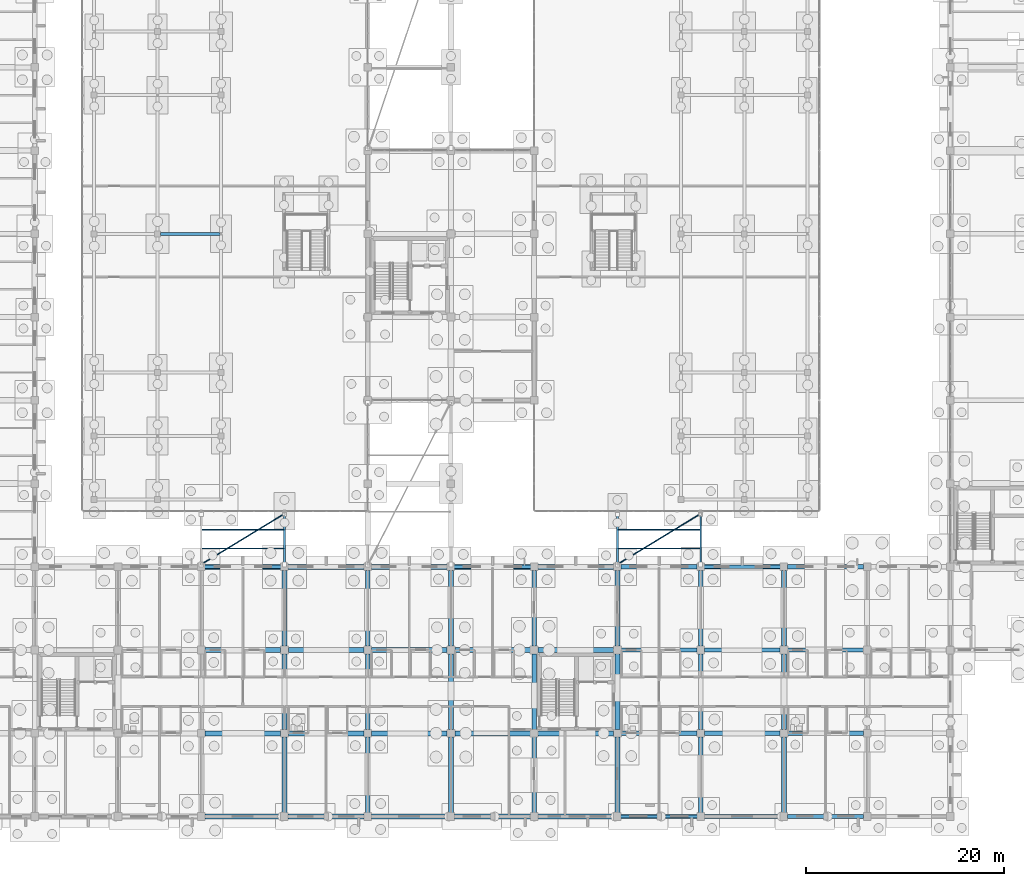
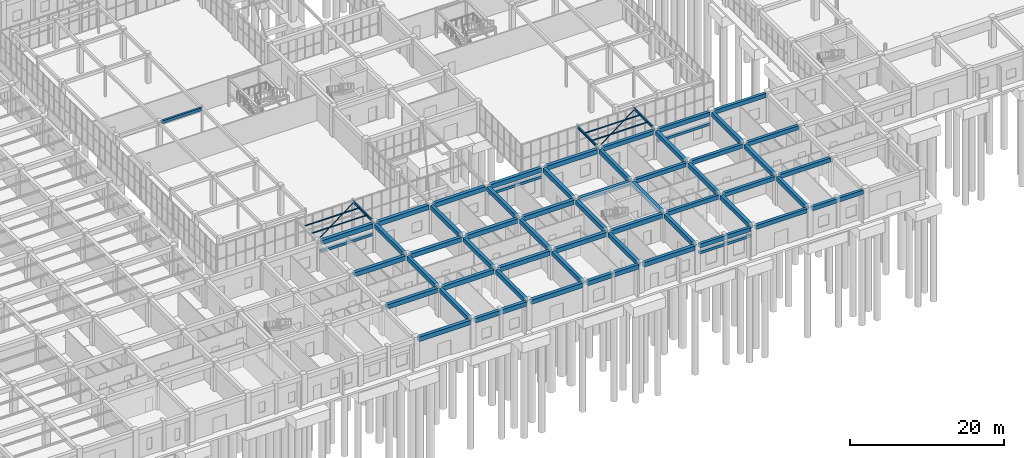
# One storey, part 57 of 192: 65 beams, 2 members.
"""IFC4 building model written with IfcOpenShell, lengths in metres."""

from ifc_helpers import new_model, si_unit, direction, frame, origin, origin_2d, place, context, subcontext, project, spatial, rectangle, hollow_circle, i_section, extrude, material, material_profile, profile_set, type_object, element, save


model = new_model("IFC4")

# Units and contexts
model_context = context("Model", 3, precision=1e-05, world=origin(), true_north=direction((0.0, 1.0)))
body_context = subcontext(model_context, "Body", "Model", "MODEL_VIEW")
ifc_project = project(units=[si_unit("LENGTHUNIT", "METRE"), si_unit("AREAUNIT", "SQUARE_METRE"), si_unit("VOLUMEUNIT", "CUBIC_METRE"), si_unit("PLANEANGLEUNIT", "RADIAN"), si_unit("MASSUNIT", "GRAM", prefix="KILO")], contexts=[model_context])

# Site, building, storey
site_placement = place(None, origin())
site = spatial("IfcSite", under=ifc_project, at=site_placement, CompositionType="ELEMENT")
building_placement = place(site_placement, origin())
building = spatial("IfcBuilding", under=site, at=building_placement, Name="Trelvath General Hospital", CompositionType="ELEMENT")
storey_placement = place(building_placement, origin())
storey = spatial("IfcBuildingStorey", under=building, at=storey_placement, Name="L00", CompositionType="ELEMENT", Elevation=0.0)

# Beams
ifc_material_1 = material(Name="Concrete C35/45", Category="concrete")
ifc_material_profile_1 = material_profile(ifc_material_1, rectangle(XDim=0.300048828125, YDim=0.449951171875, at=origin_2d()), Name="RCB300x450")
ifc_profile_set_1 = profile_set([ifc_material_profile_1], Name="Concrete C35/45")
beam_type_1 = type_object("IfcBeamType", Name="Beam RC300x450", PredefinedType="BEAM", material=ifc_profile_set_1)
beam_1_placement = place(storey_placement, frame((54.696044921875, 58.800048828125, 4.3349609375), z_axis=(1.0, 0.0, 0.0), x_axis=(0.0, 1.0, 0.0)))
element("IfcBeam", 1, at=beam_1_placement, inside=storey, type_object=beam_type_1, Name="Cube Interior Ring Beam CUBE-W-T0 L00", PredefinedType="BEAM", context=body_context, shape_type="SweptSolid", body=[
    extrude(rectangle(XDim=0.300048828125, YDim=0.449951171875, at=origin_2d()), origin(), (0.0, 0.0, 1.0), 5.998046875),
])
ifc_material_2 = material(Name="Concrete C35/45", Category="concrete")
ifc_material_profile_2 = material_profile(ifc_material_2, rectangle(XDim=0.43994140625, YDim=0.639892578125, at=origin_2d()), Name="RCB440x640")
ifc_profile_set_2 = profile_set([ifc_material_profile_2], Name="Concrete C35/45")
beam_type_2 = type_object("IfcBeamType", Name="Beam RC440x640", PredefinedType="BEAM", material=ifc_profile_set_2)
beam_2_placement = place(storey_placement, frame((101.175048828125, 0.0, 4.199951171875), z_axis=(1.0, 0.0, 0.0), x_axis=(0.0, 1.0, 0.0)))
element("IfcBeam", 2, at=beam_2_placement, inside=storey, type_object=beam_type_2, Name="Grid Beam BX-012A", PredefinedType="BEAM", context=body_context, shape_type="SweptSolid", body=[
    extrude(rectangle(XDim=0.43994140625, YDim=0.639892578125, at=origin_2d()), origin(), (0.0, 0.0, 1.0), 7.64990234375),
])
for number, where, z_axis, x_axis, name in (
    (3, (101.18505859375, 8.39990234375, 4.199951171875), (1.0, 0.0, 0.0), (0.0, 1.0, 0.0), "Grid Beam BX-012B"),
    (4, (101.18505859375, 16.800048828125, 4.199951171875), (1.0, 0.0, 0.0), (0.0, 1.0, 0.0), "Grid Beam BX-012C"),
):
    element("IfcBeam", number, at=place(storey_placement, frame(where, z_axis=z_axis, x_axis=x_axis)), inside=storey, type_object=beam_type_2, Name=name, PredefinedType="BEAM", context=body_context, shape_type="SweptSolid", body=[
        extrude(rectangle(XDim=0.43994140625, YDim=0.639892578125, at=origin_2d()), origin(), (0.0, 0.0, 1.0), 7.6298828125),
    ])
beam_3_placement = place(storey_placement, frame((101.175048828125, 25.199951171875, 4.199951171875), z_axis=(1.0, 0.0, 0.0), x_axis=(0.0, 1.0, 0.0)))
element("IfcBeam", 5, at=beam_3_placement, inside=storey, type_object=beam_type_2, Name="Grid Beam BX-012D", PredefinedType="BEAM", context=body_context, shape_type="SweptSolid", body=[
    extrude(rectangle(XDim=0.43994140625, YDim=0.639892578125, at=origin_2d()), origin(), (0.0, 0.0, 1.0), 7.64990234375),
])
beam_4_placement = place(storey_placement, frame((109.574951171875, 0.0, 4.199951171875), z_axis=(1.0, 0.0, 0.0), x_axis=(0.0, 1.0, 0.0)))
element("IfcBeam", 6, at=beam_4_placement, inside=storey, type_object=beam_type_2, Name="Grid Beam BX-013A", PredefinedType="BEAM", context=body_context, shape_type="SweptSolid", body=[
    extrude(rectangle(XDim=0.43994140625, YDim=0.639892578125, at=origin_2d()), origin(), (0.0, 0.0, 1.0), 7.650146484375),
])
for number, where, z_axis, x_axis, name in (
    (7, (109.5849609375, 8.39990234375, 4.199951171875), (1.0, 0.0, 0.0), (0.0, 1.0, 0.0), "Grid Beam BX-013B"),
    (8, (109.5849609375, 16.800048828125, 4.199951171875), (1.0, 0.0, 0.0), (0.0, 1.0, 0.0), "Grid Beam BX-013C"),
):
    element("IfcBeam", number, at=place(storey_placement, frame(where, z_axis=z_axis, x_axis=x_axis)), inside=storey, type_object=beam_type_2, Name=name, PredefinedType="BEAM", context=body_context, shape_type="SweptSolid", body=[
        extrude(rectangle(XDim=0.43994140625, YDim=0.639892578125, at=origin_2d()), origin(), (0.0, 0.0, 1.0), 7.630126953125),
    ])
beam_5_placement = place(storey_placement, frame((109.574951171875, 25.199951171875, 4.199951171875), z_axis=(1.0, 0.0, 0.0), x_axis=(0.0, 1.0, 0.0)))
element("IfcBeam", 9, at=beam_5_placement, inside=storey, type_object=beam_type_2, Name="Grid Beam BX-013D", PredefinedType="BEAM", context=body_context, shape_type="SweptSolid", body=[
    extrude(rectangle(XDim=0.43994140625, YDim=0.639892578125, at=origin_2d()), origin(), (0.0, 0.0, 1.0), 7.650146484375),
])
beam_6_placement = place(storey_placement, frame((117.97509765625, 0.0, 4.199951171875), z_axis=(1.0, 0.0, 0.0), x_axis=(0.0, 1.0, 0.0)))
element("IfcBeam", 10, at=beam_6_placement, inside=storey, type_object=beam_type_2, Name="Grid Beam BX-014A", PredefinedType="BEAM", context=body_context, shape_type="SweptSolid", body=[
    extrude(rectangle(XDim=0.43994140625, YDim=0.639892578125, at=origin_2d()), origin(), (0.0, 0.0, 1.0), 7.64990234375),
])
for number, where, z_axis, x_axis, name in (
    (11, (117.985107421875, 8.39990234375, 4.199951171875), (1.0, 0.0, 0.0), (0.0, 1.0, 0.0), "Grid Beam BX-014B"),
    (12, (117.985107421875, 16.800048828125, 4.199951171875), (1.0, 0.0, 0.0), (0.0, 1.0, 0.0), "Grid Beam BX-014C"),
):
    element("IfcBeam", number, at=place(storey_placement, frame(where, z_axis=z_axis, x_axis=x_axis)), inside=storey, type_object=beam_type_2, Name=name, PredefinedType="BEAM", context=body_context, shape_type="SweptSolid", body=[
        extrude(rectangle(XDim=0.43994140625, YDim=0.639892578125, at=origin_2d()), origin(), (0.0, 0.0, 1.0), 7.6298828125),
    ])
beam_7_placement = place(storey_placement, frame((117.97509765625, 25.199951171875, 4.199951171875), z_axis=(1.0, 0.0, 0.0), x_axis=(0.0, 1.0, 0.0)))
element("IfcBeam", 13, at=beam_7_placement, inside=storey, type_object=beam_type_2, Name="Grid Beam BX-014D", PredefinedType="BEAM", context=body_context, shape_type="SweptSolid", body=[
    extrude(rectangle(XDim=0.43994140625, YDim=0.639892578125, at=origin_2d()), origin(), (0.0, 0.0, 1.0), 7.64990234375),
])
ifc_material_3 = material(Name="Concrete C35/45", Category="concrete")
ifc_material_profile_3 = material_profile(ifc_material_3, rectangle(XDim=0.47998046875, YDim=0.679931640625, at=origin_2d()), Name="RCB480x680")
ifc_profile_set_3 = profile_set([ifc_material_profile_3], Name="Concrete C35/45")
beam_type_3 = type_object("IfcBeamType", Name="Beam RC480x680", PredefinedType="BEAM", material=ifc_profile_set_3)
beam_8_placement = place(storey_placement, frame((67.199951171875, 0.375, 4.179931640625), z_axis=(0.0, 1.0, 0.0), x_axis=(-1.0, 0.0, 0.0)))
element("IfcBeam", 14, at=beam_8_placement, inside=storey, type_object=beam_type_3, Name="Grid Beam BY-008A", PredefinedType="BEAM", context=body_context, shape_type="SweptSolid", body=[
    extrude(rectangle(XDim=0.47998046875, YDim=0.679931640625, at=origin_2d()), origin(), (0.0, 0.0, 1.0), 7.6298828125),
])
beam_9_placement = place(storey_placement, frame((67.199951171875, 8.794921875, 4.179931640625), z_axis=(0.0, 1.0, 0.0), x_axis=(-1.0, 0.0, 0.0)))
element("IfcBeam", 15, at=beam_9_placement, inside=storey, type_object=beam_type_3, Name="Grid Beam BY-008B", PredefinedType="BEAM", context=body_context, shape_type="SweptSolid", body=[
    extrude(rectangle(XDim=0.47998046875, YDim=0.679931640625, at=origin_2d()), origin(), (0.0, 0.0, 1.0), 7.610107421875),
])
for number, where, z_axis, x_axis, name in (
    (16, (67.199951171875, 17.195068359375, 4.179931640625), (0.0, 1.0, 0.0), (-1.0, 0.0, 0.0), "Grid Beam BY-008C"),
    (17, (75.60009765625, 0.375, 4.179931640625), (0.0, 1.0, 0.0), (-1.0, 0.0, 0.0), "Grid Beam BY-009A"),
):
    element("IfcBeam", number, at=place(storey_placement, frame(where, z_axis=z_axis, x_axis=x_axis)), inside=storey, type_object=beam_type_3, Name=name, PredefinedType="BEAM", context=body_context, shape_type="SweptSolid", body=[
        extrude(rectangle(XDim=0.47998046875, YDim=0.679931640625, at=origin_2d()), origin(), (0.0, 0.0, 1.0), 7.6298828125),
    ])
beam_10_placement = place(storey_placement, frame((75.60009765625, 8.794921875, 4.179931640625), z_axis=(0.0, 1.0, 0.0), x_axis=(-1.0, 0.0, 0.0)))
element("IfcBeam", 18, at=beam_10_placement, inside=storey, type_object=beam_type_3, Name="Grid Beam BY-009B", PredefinedType="BEAM", context=body_context, shape_type="SweptSolid", body=[
    extrude(rectangle(XDim=0.47998046875, YDim=0.679931640625, at=origin_2d()), origin(), (0.0, 0.0, 1.0), 7.610107421875),
])
for number, where, z_axis, x_axis, name in (
    (19, (75.60009765625, 17.195068359375, 4.179931640625), (0.0, 1.0, 0.0), (-1.0, 0.0, 0.0), "Grid Beam BY-009C"),
    (20, (84.0, 0.375, 4.179931640625), (0.0, 1.0, 0.0), (-1.0, 0.0, 0.0), "Grid Beam BY-010A"),
):
    element("IfcBeam", number, at=place(storey_placement, frame(where, z_axis=z_axis, x_axis=x_axis)), inside=storey, type_object=beam_type_3, Name=name, PredefinedType="BEAM", context=body_context, shape_type="SweptSolid", body=[
        extrude(rectangle(XDim=0.47998046875, YDim=0.679931640625, at=origin_2d()), origin(), (0.0, 0.0, 1.0), 7.6298828125),
    ])
beam_11_placement = place(storey_placement, frame((84.0, 8.794921875, 4.179931640625), z_axis=(0.0, 1.0, 0.0), x_axis=(-1.0, 0.0, 0.0)))
element("IfcBeam", 21, at=beam_11_placement, inside=storey, type_object=beam_type_3, Name="Grid Beam BY-010B", PredefinedType="BEAM", context=body_context, shape_type="SweptSolid", body=[
    extrude(rectangle(XDim=0.47998046875, YDim=0.679931640625, at=origin_2d()), origin(), (0.0, 0.0, 1.0), 7.610107421875),
])
for number, where, z_axis, x_axis, name in (
    (22, (84.0, 17.195068359375, 4.179931640625), (0.0, 1.0, 0.0), (-1.0, 0.0, 0.0), "Grid Beam BY-010C"),
    (23, (92.39990234375, 0.375, 4.179931640625), (0.0, 1.0, 0.0), (-1.0, 0.0, 0.0), "Grid Beam BY-011A"),
):
    element("IfcBeam", number, at=place(storey_placement, frame(where, z_axis=z_axis, x_axis=x_axis)), inside=storey, type_object=beam_type_3, Name=name, PredefinedType="BEAM", context=body_context, shape_type="SweptSolid", body=[
        extrude(rectangle(XDim=0.47998046875, YDim=0.679931640625, at=origin_2d()), origin(), (0.0, 0.0, 1.0), 7.6298828125),
    ])
beam_12_placement = place(storey_placement, frame((92.39990234375, 8.794921875, 4.179931640625), z_axis=(0.0, 1.0, 0.0), x_axis=(-1.0, 0.0, 0.0)))
element("IfcBeam", 24, at=beam_12_placement, inside=storey, type_object=beam_type_3, Name="Grid Beam BY-011B", PredefinedType="BEAM", context=body_context, shape_type="SweptSolid", body=[
    extrude(rectangle(XDim=0.47998046875, YDim=0.679931640625, at=origin_2d()), origin(), (0.0, 0.0, 1.0), 7.610107421875),
])
beam_13_placement = place(storey_placement, frame((92.39990234375, 17.195068359375, 4.179931640625), z_axis=(0.0, 1.0, 0.0), x_axis=(-1.0, 0.0, 0.0)))
element("IfcBeam", 25, at=beam_13_placement, inside=storey, type_object=beam_type_3, Name="Grid Beam BY-011C", PredefinedType="BEAM", context=body_context, shape_type="SweptSolid", body=[
    extrude(rectangle(XDim=0.47998046875, YDim=0.679931640625, at=origin_2d()), origin(), (0.0, 0.0, 1.0), 7.6298828125),
])
beam_14_placement = place(storey_placement, frame((100.800048828125, 0.375, 4.179931640625), z_axis=(0.0, 1.0, 0.0), x_axis=(-1.0, 0.0, 0.0)))
element("IfcBeam", 26, at=beam_14_placement, inside=storey, type_object=beam_type_3, Name="Grid Beam BY-012A", PredefinedType="BEAM", context=body_context, shape_type="SweptSolid", body=[
    extrude(rectangle(XDim=0.47998046875, YDim=0.679931640625, at=origin_2d()), origin(), (0.0, 0.0, 1.0), 7.639892578125),
])
beam_15_placement = place(storey_placement, frame((100.800048828125, 8.784912109375, 4.179931640625), z_axis=(0.0, 1.0, 0.0), x_axis=(-1.0, 0.0, 0.0)))
element("IfcBeam", 27, at=beam_15_placement, inside=storey, type_object=beam_type_3, Name="Grid Beam BY-012B", PredefinedType="BEAM", context=body_context, shape_type="SweptSolid", body=[
    extrude(rectangle(XDim=0.47998046875, YDim=0.679931640625, at=origin_2d()), origin(), (0.0, 0.0, 1.0), 7.630126953125),
])
for number, where, z_axis, x_axis, name in (
    (28, (100.800048828125, 17.18505859375, 4.179931640625), (0.0, 1.0, 0.0), (-1.0, 0.0, 0.0), "Grid Beam BY-012C"),
    (29, (109.199951171875, 0.375, 4.179931640625), (0.0, 1.0, 0.0), (-1.0, 0.0, 0.0), "Grid Beam BY-013A"),
):
    element("IfcBeam", number, at=place(storey_placement, frame(where, z_axis=z_axis, x_axis=x_axis)), inside=storey, type_object=beam_type_3, Name=name, PredefinedType="BEAM", context=body_context, shape_type="SweptSolid", body=[
        extrude(rectangle(XDim=0.47998046875, YDim=0.679931640625, at=origin_2d()), origin(), (0.0, 0.0, 1.0), 7.639892578125),
    ])
beam_16_placement = place(storey_placement, frame((109.199951171875, 8.784912109375, 4.179931640625), z_axis=(0.0, 1.0, 0.0), x_axis=(-1.0, 0.0, 0.0)))
element("IfcBeam", 30, at=beam_16_placement, inside=storey, type_object=beam_type_3, Name="Grid Beam BY-013B", PredefinedType="BEAM", context=body_context, shape_type="SweptSolid", body=[
    extrude(rectangle(XDim=0.47998046875, YDim=0.679931640625, at=origin_2d()), origin(), (0.0, 0.0, 1.0), 7.630126953125),
])
for number, where, z_axis, x_axis, name in (
    (31, (109.199951171875, 17.18505859375, 4.179931640625), (0.0, 1.0, 0.0), (-1.0, 0.0, 0.0), "Grid Beam BY-013C"),
    (32, (117.60009765625, 0.375, 4.179931640625), (0.0, 1.0, 0.0), (-1.0, 0.0, 0.0), "Grid Beam BY-014A"),
):
    element("IfcBeam", number, at=place(storey_placement, frame(where, z_axis=z_axis, x_axis=x_axis)), inside=storey, type_object=beam_type_3, Name=name, PredefinedType="BEAM", context=body_context, shape_type="SweptSolid", body=[
        extrude(rectangle(XDim=0.47998046875, YDim=0.679931640625, at=origin_2d()), origin(), (0.0, 0.0, 1.0), 7.639892578125),
    ])
beam_17_placement = place(storey_placement, frame((117.60009765625, 8.784912109375, 4.179931640625), z_axis=(0.0, 1.0, 0.0), x_axis=(-1.0, 0.0, 0.0)))
element("IfcBeam", 33, at=beam_17_placement, inside=storey, type_object=beam_type_3, Name="Grid Beam BY-014B", PredefinedType="BEAM", context=body_context, shape_type="SweptSolid", body=[
    extrude(rectangle(XDim=0.47998046875, YDim=0.679931640625, at=origin_2d()), origin(), (0.0, 0.0, 1.0), 7.630126953125),
])
beam_18_placement = place(storey_placement, frame((117.60009765625, 17.18505859375, 4.179931640625), z_axis=(0.0, 1.0, 0.0), x_axis=(-1.0, 0.0, 0.0)))
element("IfcBeam", 34, at=beam_18_placement, inside=storey, type_object=beam_type_3, Name="Grid Beam BY-014C", PredefinedType="BEAM", context=body_context, shape_type="SweptSolid", body=[
    extrude(rectangle(XDim=0.47998046875, YDim=0.679931640625, at=origin_2d()), origin(), (0.0, 0.0, 1.0), 7.639892578125),
])
ifc_material_4 = material(Name="Concrete C35/45", Category="concrete")
ifc_material_profile_4 = material_profile(ifc_material_4, rectangle(XDim=0.5, YDim=0.699951171875, at=origin_2d()), Name="RCB500x700")
ifc_profile_set_4 = profile_set([ifc_material_profile_4], Name="Concrete C35/45")
beam_type_4 = type_object("IfcBeamType", Name="Beam RC500x700", PredefinedType="BEAM", material=ifc_profile_set_4)
beam_19_placement = place(storey_placement, frame((59.175048828125, 0.0, 4.169921875), z_axis=(1.0, 0.0, 0.0), x_axis=(0.0, 1.0, 0.0)))
element("IfcBeam", 35, at=beam_19_placement, inside=storey, type_object=beam_type_4, Name="Grid Beam BX-007A", PredefinedType="BEAM", context=body_context, shape_type="SweptSolid", body=[
    extrude(rectangle(XDim=0.5, YDim=0.699951171875, at=origin_2d()), origin(), (0.0, 0.0, 1.0), 7.64990234375),
])
for number, where, z_axis, x_axis, name in (
    (36, (59.195068359375, 8.39990234375, 4.169921875), (1.0, 0.0, 0.0), (0.0, 1.0, 0.0), "Grid Beam BX-007B"),
    (37, (59.195068359375, 16.800048828125, 4.169921875), (1.0, 0.0, 0.0), (0.0, 1.0, 0.0), "Grid Beam BX-007C"),
):
    element("IfcBeam", number, at=place(storey_placement, frame(where, z_axis=z_axis, x_axis=x_axis)), inside=storey, type_object=beam_type_4, Name=name, PredefinedType="BEAM", context=body_context, shape_type="SweptSolid", body=[
        extrude(rectangle(XDim=0.5, YDim=0.699951171875, at=origin_2d()), origin(), (0.0, 0.0, 1.0), 7.60986328125),
    ])
beam_20_placement = place(storey_placement, frame((59.175048828125, 25.199951171875, 4.169921875), z_axis=(1.0, 0.0, 0.0), x_axis=(0.0, 1.0, 0.0)))
element("IfcBeam", 38, at=beam_20_placement, inside=storey, type_object=beam_type_4, Name="Grid Beam BX-007D", PredefinedType="BEAM", context=body_context, shape_type="SweptSolid", body=[
    extrude(rectangle(XDim=0.5, YDim=0.699951171875, at=origin_2d()), origin(), (0.0, 0.0, 1.0), 7.64990234375),
])
beam_21_placement = place(storey_placement, frame((67.574951171875, 0.0, 4.169921875), z_axis=(1.0, 0.0, 0.0), x_axis=(0.0, 1.0, 0.0)))
element("IfcBeam", 39, at=beam_21_placement, inside=storey, type_object=beam_type_4, Name="Grid Beam BX-008A", PredefinedType="BEAM", context=body_context, shape_type="SweptSolid", body=[
    extrude(rectangle(XDim=0.5, YDim=0.699951171875, at=origin_2d()), origin(), (0.0, 0.0, 1.0), 7.650146484375),
])
for number, where, z_axis, x_axis, name in (
    (40, (67.594970703125, 8.39990234375, 4.169921875), (1.0, 0.0, 0.0), (0.0, 1.0, 0.0), "Grid Beam BX-008B"),
    (41, (67.594970703125, 16.800048828125, 4.169921875), (1.0, 0.0, 0.0), (0.0, 1.0, 0.0), "Grid Beam BX-008C"),
):
    element("IfcBeam", number, at=place(storey_placement, frame(where, z_axis=z_axis, x_axis=x_axis)), inside=storey, type_object=beam_type_4, Name=name, PredefinedType="BEAM", context=body_context, shape_type="SweptSolid", body=[
        extrude(rectangle(XDim=0.5, YDim=0.699951171875, at=origin_2d()), origin(), (0.0, 0.0, 1.0), 7.610107421875),
    ])
beam_22_placement = place(storey_placement, frame((67.574951171875, 25.199951171875, 4.169921875), z_axis=(1.0, 0.0, 0.0), x_axis=(0.0, 1.0, 0.0)))
element("IfcBeam", 42, at=beam_22_placement, inside=storey, type_object=beam_type_4, Name="Grid Beam BX-008D", PredefinedType="BEAM", context=body_context, shape_type="SweptSolid", body=[
    extrude(rectangle(XDim=0.5, YDim=0.699951171875, at=origin_2d()), origin(), (0.0, 0.0, 1.0), 7.650146484375),
])
beam_23_placement = place(storey_placement, frame((75.97509765625, 0.0, 4.169921875), z_axis=(1.0, 0.0, 0.0), x_axis=(0.0, 1.0, 0.0)))
element("IfcBeam", 43, at=beam_23_placement, inside=storey, type_object=beam_type_4, Name="Grid Beam BX-009A", PredefinedType="BEAM", context=body_context, shape_type="SweptSolid", body=[
    extrude(rectangle(XDim=0.5, YDim=0.699951171875, at=origin_2d()), origin(), (0.0, 0.0, 1.0), 7.64990234375),
])
for number, where, z_axis, x_axis, name in (
    (44, (75.9951171875, 8.39990234375, 4.169921875), (1.0, 0.0, 0.0), (0.0, 1.0, 0.0), "Grid Beam BX-009B"),
    (45, (75.9951171875, 16.800048828125, 4.169921875), (1.0, 0.0, 0.0), (0.0, 1.0, 0.0), "Grid Beam BX-009C"),
):
    element("IfcBeam", number, at=place(storey_placement, frame(where, z_axis=z_axis, x_axis=x_axis)), inside=storey, type_object=beam_type_4, Name=name, PredefinedType="BEAM", context=body_context, shape_type="SweptSolid", body=[
        extrude(rectangle(XDim=0.5, YDim=0.699951171875, at=origin_2d()), origin(), (0.0, 0.0, 1.0), 7.60986328125),
    ])
for number, where, z_axis, x_axis, name in (
    (46, (75.97509765625, 25.199951171875, 4.169921875), (1.0, 0.0, 0.0), (0.0, 1.0, 0.0), "Grid Beam BX-009D"),
    (47, (84.375, 0.0, 4.169921875), (1.0, 0.0, 0.0), (0.0, 1.0, 0.0), "Grid Beam BX-010A"),
):
    element("IfcBeam", number, at=place(storey_placement, frame(where, z_axis=z_axis, x_axis=x_axis)), inside=storey, type_object=beam_type_4, Name=name, PredefinedType="BEAM", context=body_context, shape_type="SweptSolid", body=[
        extrude(rectangle(XDim=0.5, YDim=0.699951171875, at=origin_2d()), origin(), (0.0, 0.0, 1.0), 7.64990234375),
    ])
for number, where, z_axis, x_axis, name in (
    (48, (84.39501953125, 8.39990234375, 4.169921875), (1.0, 0.0, 0.0), (0.0, 1.0, 0.0), "Grid Beam BX-010B"),
    (49, (84.39501953125, 16.800048828125, 4.169921875), (1.0, 0.0, 0.0), (0.0, 1.0, 0.0), "Grid Beam BX-010C"),
):
    element("IfcBeam", number, at=place(storey_placement, frame(where, z_axis=z_axis, x_axis=x_axis)), inside=storey, type_object=beam_type_4, Name=name, PredefinedType="BEAM", context=body_context, shape_type="SweptSolid", body=[
        extrude(rectangle(XDim=0.5, YDim=0.699951171875, at=origin_2d()), origin(), (0.0, 0.0, 1.0), 7.60986328125),
    ])
beam_24_placement = place(storey_placement, frame((84.375, 25.199951171875, 4.169921875), z_axis=(1.0, 0.0, 0.0), x_axis=(0.0, 1.0, 0.0)))
element("IfcBeam", 50, at=beam_24_placement, inside=storey, type_object=beam_type_4, Name="Grid Beam BX-010D", PredefinedType="BEAM", context=body_context, shape_type="SweptSolid", body=[
    extrude(rectangle(XDim=0.5, YDim=0.699951171875, at=origin_2d()), origin(), (0.0, 0.0, 1.0), 7.64990234375),
])
beam_25_placement = place(storey_placement, frame((92.77490234375, 0.0, 4.169921875), z_axis=(1.0, 0.0, 0.0), x_axis=(0.0, 1.0, 0.0)))
element("IfcBeam", 51, at=beam_25_placement, inside=storey, type_object=beam_type_4, Name="Grid Beam BX-011A", PredefinedType="BEAM", context=body_context, shape_type="SweptSolid", body=[
    extrude(rectangle(XDim=0.5, YDim=0.699951171875, at=origin_2d()), origin(), (0.0, 0.0, 1.0), 7.650146484375),
])
for number, where, z_axis, x_axis, name in (
    (52, (92.794921875, 8.39990234375, 4.169921875), (1.0, 0.0, 0.0), (0.0, 1.0, 0.0), "Grid Beam BX-011B"),
    (53, (92.794921875, 16.800048828125, 4.169921875), (1.0, 0.0, 0.0), (0.0, 1.0, 0.0), "Grid Beam BX-011C"),
):
    element("IfcBeam", number, at=place(storey_placement, frame(where, z_axis=z_axis, x_axis=x_axis)), inside=storey, type_object=beam_type_4, Name=name, PredefinedType="BEAM", context=body_context, shape_type="SweptSolid", body=[
        extrude(rectangle(XDim=0.5, YDim=0.699951171875, at=origin_2d()), origin(), (0.0, 0.0, 1.0), 7.6201171875),
    ])
beam_26_placement = place(storey_placement, frame((92.77490234375, 25.199951171875, 4.169921875), z_axis=(1.0, 0.0, 0.0), x_axis=(0.0, 1.0, 0.0)))
element("IfcBeam", 54, at=beam_26_placement, inside=storey, type_object=beam_type_4, Name="Grid Beam BX-011D", PredefinedType="BEAM", context=body_context, shape_type="SweptSolid", body=[
    extrude(rectangle(XDim=0.5, YDim=0.699951171875, at=origin_2d()), origin(), (0.0, 0.0, 1.0), 7.650146484375),
])

# Members
ifc_material_5 = material(Name="Steel S355", Category="steel")
ifc_material_profile_5 = material_profile(ifc_material_5, hollow_circle(Radius=0.06982421875, WallThickness=0.00634765625, at=origin_2d()), Name="CHS139.7x6.3")
ifc_profile_set_5 = profile_set([ifc_material_profile_5], Name="Steel S355")
member_type = type_object("IfcMemberType", Name="BridgeBrace CHS139", PredefinedType="BRACE", material=ifc_profile_set_5)
for number, where, z_axis, x_axis, name in (
    (55, (58.860107421875, 25.47998046875, 4.409912109375), (0.854190773615, 0.519959731394, 0.0), (-0.519959731394, 0.854190773615, 0.0), "Bridge Lateral Brace BRG-S-W L01"),
    (56, (100.860107421875, 25.47998046875, 4.409912109375), (0.854190773615, 0.519959731394, 0.0), (-0.519959731394, 0.854190773615, 0.0), "Bridge Lateral Brace BRG-S-E L01"),
):
    element("IfcMember", number, at=place(storey_placement, frame(where, z_axis=z_axis, x_axis=x_axis)), inside=storey, type_object=member_type, Name=name, PredefinedType="BRACE", context=body_context, shape_type="SweptSolid", body=[
        extrude(hollow_circle(Radius=0.06982421875, WallThickness=0.00634765625, at=origin_2d()), origin(), (0.0, 0.0, 1.0), 9.693115234375),
    ])

# Beams
ifc_material_6 = material(Name="Steel S355", Category="steel")
ifc_material_profile_6 = material_profile(ifc_material_6, i_section(OverallWidth=0.179931640625, OverallDepth=0.39990234375, WebThickness=0.008544921875, FlangeThickness=0.013427734375, at=origin_2d()), Name="IPE400")
ifc_profile_set_6 = profile_set([ifc_material_profile_6], Name="Steel S355")
beam_type_5 = type_object("IfcBeamType", Name="BridgeGirder IPE400", PredefinedType="BEAM", material=ifc_profile_set_6)
for number, where, z_axis, x_axis, name in (
    (57, (67.199951171875, 25.239990234375, 4.409912109375), (0.0, 1.0, 0.0), (-1.0, 0.0, 0.0), "Bridge Girder BRG-S-W E L01"),
    (58, (100.800048828125, 25.239990234375, 4.409912109375), (0.0, 1.0, 0.0), (-1.0, 0.0, 0.0), "Bridge Girder BRG-S-E W L01"),
    (59, (109.199951171875, 25.239990234375, 4.409912109375), (0.0, 1.0, 0.0), (-1.0, 0.0, 0.0), "Bridge Girder BRG-S-E E L01"),
):
    element("IfcBeam", number, at=place(storey_placement, frame(where, z_axis=z_axis, x_axis=x_axis)), inside=storey, type_object=beam_type_5, Name=name, PredefinedType="BEAM", context=body_context, shape_type="SweptSolid", body=[
        extrude(i_section(OverallWidth=0.179931640625, OverallDepth=0.39990234375, WebThickness=0.008544921875, FlangeThickness=0.013427734375, at=origin_2d()), origin(), (0.0, 0.0, 1.0), 5.52001953125),
    ])
ifc_material_7 = material(Name="Steel S355", Category="steel")
ifc_material_profile_7 = material_profile(ifc_material_7, i_section(OverallWidth=0.091064453125, OverallDepth=0.179931640625, WebThickness=0.00537109375, FlangeThickness=0.008056640625, at=origin_2d()), Name="IPE180")
ifc_profile_set_7 = profile_set([ifc_material_profile_7], Name="Steel S355")
beam_type_6 = type_object("IfcBeamType", Name="BridgeJoist IPE180", PredefinedType="JOIST", material=ifc_profile_set_7)
for number, where, z_axis, x_axis, name in (
    (60, (58.8798828125, 27.048095703125, 4.52001953125), (1.0, 0.0, 0.0), (0.0, 1.0, 0.0), "Bridge Cross Joist BRG-S-W L01"),
    (61, (58.8798828125, 28.951904296875, 4.52001953125), (1.0, 0.0, 0.0), (0.0, 1.0, 0.0), "Bridge Cross Joist BRG-S-W L01"),
    (62, (100.8798828125, 27.048095703125, 4.52001953125), (1.0, 0.0, 0.0), (0.0, 1.0, 0.0), "Bridge Cross Joist BRG-S-E L01"),
    (63, (100.8798828125, 28.951904296875, 4.52001953125), (1.0, 0.0, 0.0), (0.0, 1.0, 0.0), "Bridge Cross Joist BRG-S-E L01"),
):
    element("IfcBeam", number, at=place(storey_placement, frame(where, z_axis=z_axis, x_axis=x_axis)), inside=storey, type_object=beam_type_6, Name=name, PredefinedType="JOIST", context=body_context, shape_type="SweptSolid", body=[
        extrude(i_section(OverallWidth=0.091064453125, OverallDepth=0.179931640625, WebThickness=0.00537109375, FlangeThickness=0.008056640625, at=origin_2d()), origin(), (0.0, 0.0, 1.0), 8.240234375),
    ])
ifc_material_8 = material(Name="Precast concrete C40/50", Category="concrete")
ifc_material_profile_8 = material_profile(ifc_material_8, rectangle(XDim=0.35009765625, YDim=0.419921875, at=origin_2d()), Name="PCL350x420")
ifc_profile_set_8 = profile_set([ifc_material_profile_8], Name="Precast concrete C40/50")
beam_type_7 = type_object("IfcBeamType", Name="Lintel PC350x420", PredefinedType="LINTEL", material=ifc_profile_set_8)
for number, where, z_axis, x_axis, name in (
    (64, (59.094970703125, 25.199951171875, 2.77001953125), (1.0, 0.0, 0.0), (0.0, 1.0, 0.0), "Precast Window Brow Lintel L00-42"),
    (65, (84.294921875, 25.199951171875, 3.02001953125), (1.0, 0.0, 0.0), (0.0, 1.0, 0.0), "Precast Window Brow Lintel L00-57"),
    (66, (108.905029296875, 0.0, 3.1201171875), (-1.0, 0.0, 0.0), (0.0, -1.0, 0.0), "Precast Window Brow Lintel L00-68"),
):
    element("IfcBeam", number, at=place(storey_placement, frame(where, z_axis=z_axis, x_axis=x_axis)), inside=storey, type_object=beam_type_7, Name=name, PredefinedType="LINTEL", context=body_context, shape_type="SweptSolid", body=[
        extrude(rectangle(XDim=0.35009765625, YDim=0.419921875, at=origin_2d()), origin(), (0.0, 0.0, 1.0), 7.81005859375),
    ])
beam_27_placement = place(storey_placement, frame((109.4951171875, 25.199951171875, 2.570068359375), z_axis=(1.0, 0.0, 0.0), x_axis=(0.0, 1.0, 0.0)))
element("IfcBeam", 67, at=beam_27_placement, inside=storey, type_object=beam_type_7, Name="Precast Window Brow Lintel L00-73", PredefinedType="LINTEL", context=body_context, shape_type="SweptSolid", body=[
    extrude(rectangle(XDim=0.35009765625, YDim=0.419921875, at=origin_2d()), origin(), (0.0, 0.0, 1.0), 7.809814453125),
])

save(model, "model.ifc")
